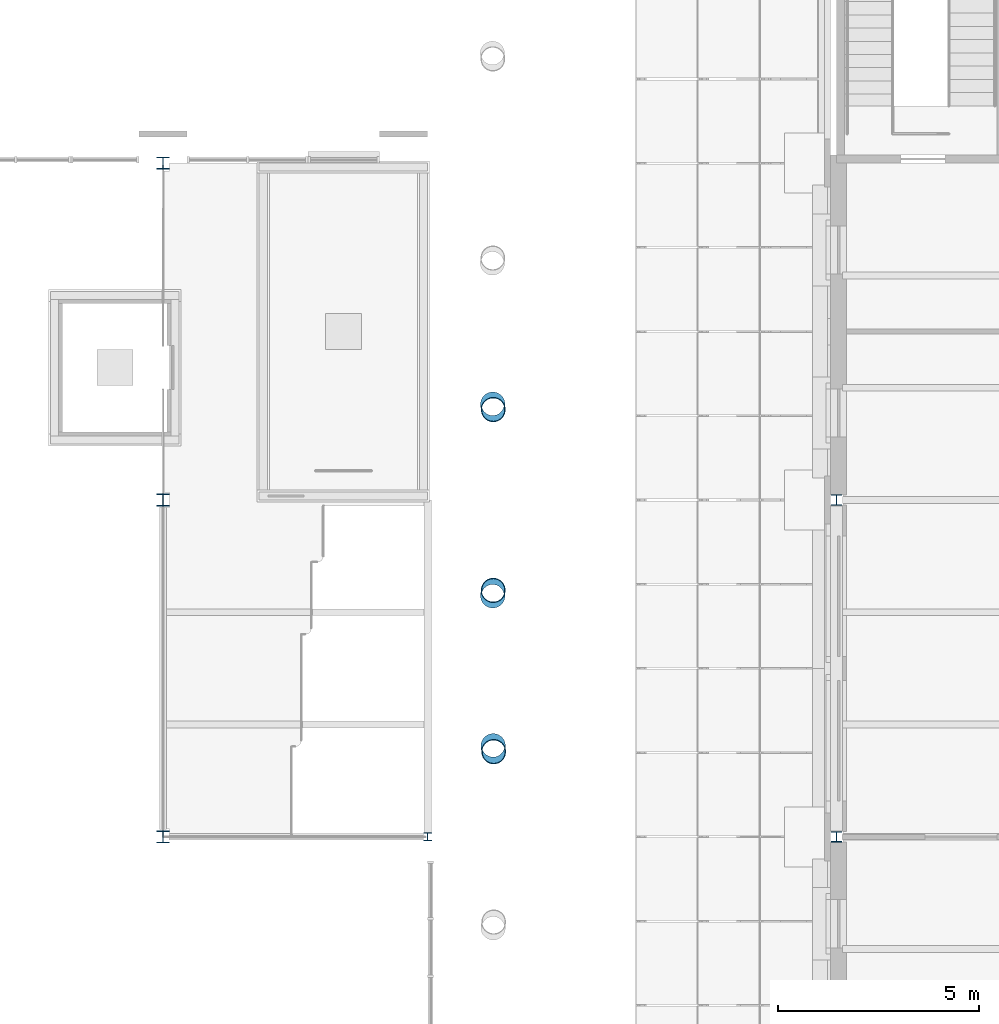
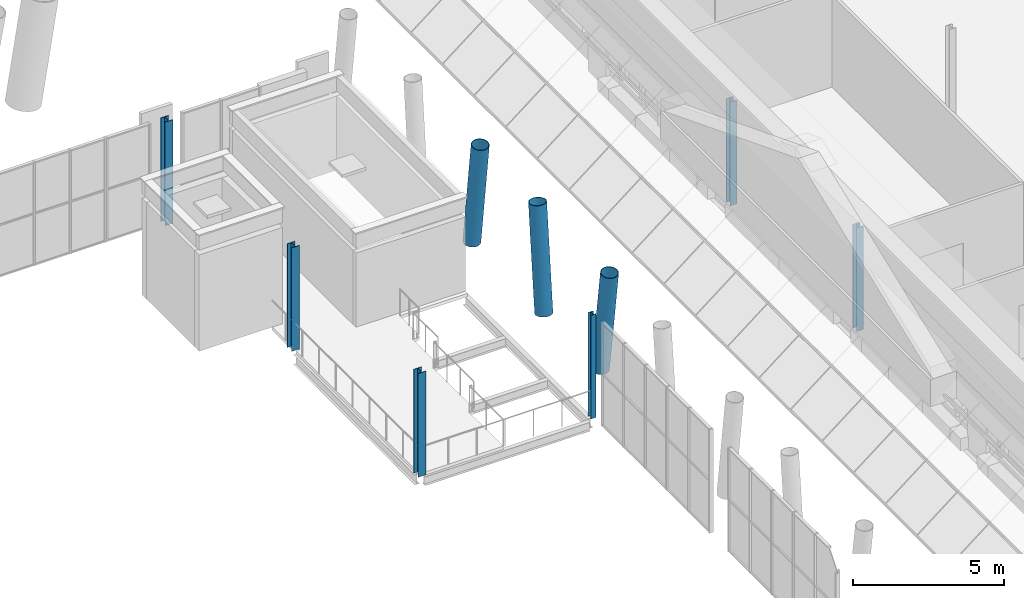
# One storey, part 10 of 76: 9 columns.
"""IFC4 building model written with IfcOpenShell, lengths in metres."""

from ifc_helpers import new_model, si_unit, direction, frame, origin, origin_2d, place, context, subcontext, project, spatial, hollow_circle, i_section, extrude, material, material_profile, profile_set, type_object, element, save


model = new_model("IFC4")

# Units and contexts
model_context = context("Model", 3, precision=1e-05, world=origin(), true_north=direction((0.0, 1.0)))
body_context = subcontext(model_context, "Body", "Model", "MODEL_VIEW")
ifc_project = project(units=[si_unit("LENGTHUNIT", "METRE"), si_unit("AREAUNIT", "SQUARE_METRE"), si_unit("VOLUMEUNIT", "CUBIC_METRE"), si_unit("PLANEANGLEUNIT", "RADIAN"), si_unit("MASSUNIT", "GRAM", prefix="KILO")], contexts=[model_context])

# Site, building, storey
site_placement = place(None, origin())
site = spatial("IfcSite", under=ifc_project, at=site_placement, CompositionType="ELEMENT")
building_placement = place(site_placement, origin())
building = spatial("IfcBuilding", under=site, at=building_placement, Name="Sava Quay Ferry Terminal", CompositionType="ELEMENT")
storey_placement = place(building_placement, frame((0.0, 0.0, 10.800048828125)))
storey = spatial("IfcBuildingStorey", under=building, at=storey_placement, Name="L02", CompositionType="ELEMENT", Elevation=10.800048828125)

# Columns
ifc_material_1 = material(Name="Steel S355", Category="steel")
ifc_material_profile_1 = material_profile(ifc_material_1, i_section(OverallWidth=0.199951171875, OverallDepth=0.199951171875, WebThickness=0.009033203125, FlangeThickness=0.014892578125, at=origin_2d()), Name="HE 200 B")
ifc_profile_set_1 = profile_set([ifc_material_profile_1], Name="Steel S355")
column_type_1 = type_object("IfcColumnType", Name="Column HE 200 B", PredefinedType="COLUMN", material=ifc_profile_set_1)
column_1_placement = place(storey_placement, frame((82.199951171875, 84.0, 0.0), z_axis=(0.0, 0.0, 1.0), x_axis=(1.0, 0.0, 0.0)))
element("IfcColumn", 1, at=column_1_placement, inside=storey, type_object=column_type_1, Name="Column L02 82.2/84", PredefinedType="COLUMN", context=body_context, shape_type="SweptSolid", body=[
    extrude(i_section(OverallWidth=0.199951171875, OverallDepth=0.199951171875, WebThickness=0.009033203125, FlangeThickness=0.014892578125, at=origin_2d()), origin(), (0.0, 0.0, 1.0), 4.199951171875),
])
ifc_material_2 = material(Name="Steel S355", Category="steel")
ifc_material_profile_2 = material_profile(ifc_material_2, i_section(OverallWidth=0.260009765625, OverallDepth=0.260009765625, WebThickness=0.010009765625, FlangeThickness=0.017578125, at=origin_2d()), Name="HE 260 B")
ifc_profile_set_2 = profile_set([ifc_material_profile_2], Name="Steel S355")
column_type_2 = type_object("IfcColumnType", Name="Column HE 260 B", PredefinedType="COLUMN", material=ifc_profile_set_2)
for number, where, z_axis, x_axis, name in (
    (2, (92.39990234375, 84.0, 0.0), (0.0, 0.0, 1.0), (1.0, 0.0, 0.0), "Column L02 92.4/84"),
    (3, (92.39990234375, 92.39990234375, 0.0), (0.0, 0.0, 1.0), (1.0, 0.0, 0.0), "Column L02 92.4/92.4"),
):
    element("IfcColumn", number, at=place(storey_placement, frame(where, z_axis=z_axis, x_axis=x_axis)), inside=storey, type_object=column_type_2, Name=name, PredefinedType="COLUMN", context=body_context, shape_type="SweptSolid", body=[
        extrude(i_section(OverallWidth=0.260009765625, OverallDepth=0.260009765625, WebThickness=0.010009765625, FlangeThickness=0.017578125, at=origin_2d()), origin(), (0.0, 0.0, 1.0), 4.199951171875),
    ])
ifc_material_3 = material(Name="Steel S355", Category="steel")
ifc_material_profile_3 = material_profile(ifc_material_3, i_section(OverallWidth=0.300048828125, OverallDepth=0.300048828125, WebThickness=0.010986328125, FlangeThickness=0.01904296875, at=origin_2d()), Name="HE 300 B")
ifc_profile_set_3 = profile_set([ifc_material_profile_3], Name="Steel S355")
column_type_3 = type_object("IfcColumnType", Name="Column HE 300 B", PredefinedType="COLUMN", material=ifc_profile_set_3)
for number, where, z_axis, x_axis, name in (
    (4, (75.60009765625, 84.0, 0.0), (0.0, 0.0, 1.0), (1.0, 0.0, 0.0), "Column L02 75.6/84"),
    (5, (75.60009765625, 92.39990234375, 0.0), (0.0, 0.0, 1.0), (1.0, 0.0, 0.0), "Column L02 75.6/92.4"),
    (6, (75.60009765625, 100.800048828125, 0.0), (0.0, 0.0, 1.0), (1.0, 0.0, 0.0), "Column L02 75.6/100.8"),
):
    element("IfcColumn", number, at=place(storey_placement, frame(where, z_axis=z_axis, x_axis=x_axis)), inside=storey, type_object=column_type_3, Name=name, PredefinedType="COLUMN", context=body_context, shape_type="SweptSolid", body=[
        extrude(i_section(OverallWidth=0.300048828125, OverallDepth=0.300048828125, WebThickness=0.010986328125, FlangeThickness=0.01904296875, at=origin_2d()), origin(), (0.0, 0.0, 1.0), 4.199951171875),
    ])
ifc_material_4 = material(Name="Steel S355", Category="steel")
ifc_material_profile_4 = material_profile(ifc_material_4, hollow_circle(Radius=0.304931640625, WallThickness=0.02001953125, at=origin_2d()), Name="CHS 610 x 20.0")
ifc_profile_set_4 = profile_set([ifc_material_profile_4], Name="Steel S355")
column_type_4 = type_object("IfcColumnType", Name="V column CHS 610x20", PredefinedType="COLUMN", material=ifc_profile_set_4)
column_2_placement = place(storey_placement, frame((83.833251953125, 86.271240234375, 0.0), z_axis=(0.010842160941, -0.12485786403, 0.992115397187), x_axis=(0.996250941194, 0.086510474339, 0.0)))
element("IfcColumn", 7, at=column_2_placement, inside=storey, type_object=column_type_4, Name="Departure hall V column D-VR4b part 3", PredefinedType="COLUMN", context=body_context, shape_type="SweptSolid", body=[
    extrude(hollow_circle(Radius=0.304931640625, WallThickness=0.02001953125, at=origin_2d()), origin(), (0.0, 0.0, 1.0), 4.2333984375),
])
for number, where, z_axis, x_axis, name in (
    (8, (83.82275390625, 90.010498046875, 0.0), (0.010046539458, 0.115304248837, 0.993279415494), (-0.996225598119, 0.086801829781, 0.0), "Departure hall V column D-VR5a part 3"),
    (9, (83.82275390625, 94.78955078125, 0.0), (0.010046539458, -0.115304248837, 0.993279415494), (0.996225598119, 0.086801829781, 0.0), "Departure hall V column D-VR5b part 3"),
):
    element("IfcColumn", number, at=place(storey_placement, frame(where, z_axis=z_axis, x_axis=x_axis)), inside=storey, type_object=column_type_4, Name=name, PredefinedType="COLUMN", context=body_context, shape_type="SweptSolid", body=[
        extrude(hollow_circle(Radius=0.304931640625, WallThickness=0.02001953125, at=origin_2d()), origin(), (0.0, 0.0, 1.0), 4.228271484375),
    ])

save(model, "model.ifc")
